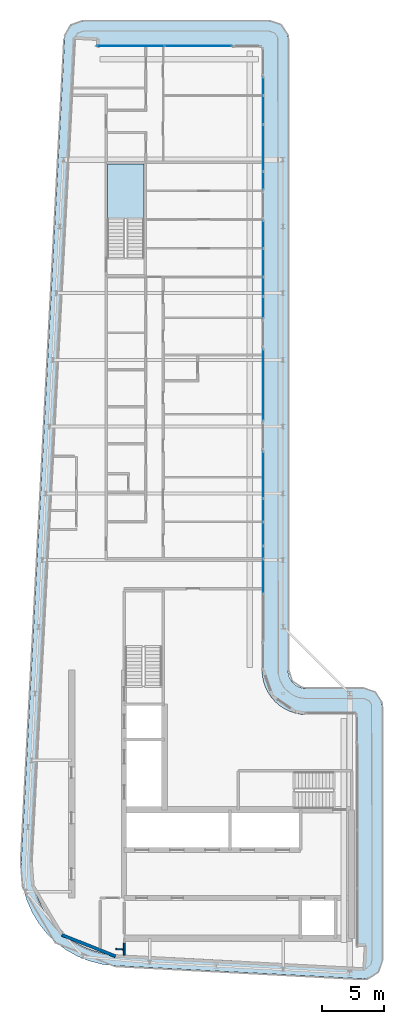
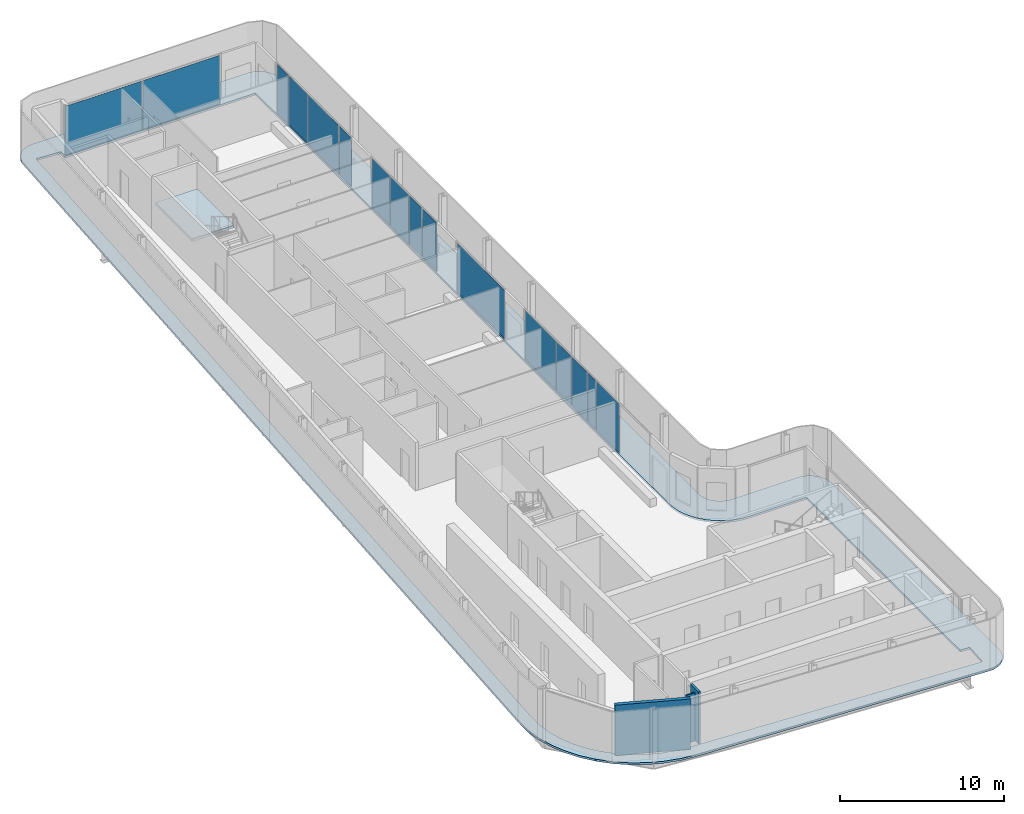
# One storey, part 8 of 18: 16 plates, 3 walls, 2 slabs, 9 elements without a shape of their own.
"""IFC4 building model written with IfcOpenShell, lengths in metres."""

from ifc_helpers import new_model, si_unit, direction, frame, frame_2d, origin, origin_2d, place, context, subcontext, project, spatial, polyline, rectangle, outline, extrude, material, layer, layer_set, type_object, element, aggregate, save


model = new_model("IFC4")

# Units and contexts
model_context = context("Model", 3, precision=1e-05, world=origin(), true_north=direction((0.0, 1.0)))
body_context = subcontext(model_context, "Body", "Model", "MODEL_VIEW")
ifc_project = project(units=[si_unit("LENGTHUNIT", "METRE"), si_unit("AREAUNIT", "SQUARE_METRE"), si_unit("VOLUMEUNIT", "CUBIC_METRE"), si_unit("PLANEANGLEUNIT", "RADIAN"), si_unit("MASSUNIT", "GRAM", prefix="KILO")], contexts=[model_context])

# Site, building, storey
site_placement = place(None, origin())
site = spatial("IfcSite", under=ifc_project, at=site_placement, CompositionType="ELEMENT")
building_placement = place(site_placement, origin())
building = spatial("IfcBuilding", under=site, at=building_placement, Name="Kheshtan School and Residences Tower", CompositionType="ELEMENT")
storey_placement = place(building_placement, frame((0.0, 0.0, 385.10009765625)))
storey = spatial("IfcBuildingStorey", under=building, at=storey_placement, Name="L91", CompositionType="ELEMENT", Elevation=385.10009765625)

# Curtain wall, plates
ifc_material_1 = material(Name="Clear low-e glass in thermally broken aluminium frame", Category="aluminium")
ifc_layer_1 = layer(ifc_material_1, 0.199951171875)
ifc_layer_set_1 = layer_set([ifc_layer_1], Name="Curtain wall CW-L")
curtain_wall_type = type_object("IfcCurtainWallType", Name="Curtain wall CW-L", PredefinedType="NOTDEFINED", material=ifc_layer_set_1)
curtain_wall_1_placement = place(storey_placement, origin())
curtain_wall_1 = element("IfcCurtainWall", 1, at=curtain_wall_1_placement, inside=storey, type_object=curtain_wall_type, Name="Curtain wall CWL7", PredefinedType="NOTDEFINED")
ifc_layer_2 = layer(ifc_material_1, 0.031982421875)
ifc_layer_set_2 = layer_set([ifc_layer_2], Name="CW-L glass panel")
plate_type = type_object("IfcPlateType", Name="CW-L glass panel", PredefinedType="CURTAIN_PANEL", material=ifc_layer_set_2)
plate_1_placement = place(storey_placement, frame((35.259033203125, 98.0, 0.0), z_axis=(0.0, 0.0, 1.0), x_axis=(1.0, 0.0, 0.0)))
plate_1 = element("IfcPlate", 2, at=plate_1_placement, type_object=plate_type, Name="CWL7 panel 1.1", PredefinedType="CURTAIN_PANEL", context=body_context, shape_type="SweptSolid", body=[
    extrude(rectangle(XDim=5.4140625, YDim=0.031982421875, at=origin_2d()), origin(), (0.0, 0.0, 1.0), 3.6298828125),
])
plate_2_placement = place(storey_placement, frame((40.73291015625, 98.0, 0.0), z_axis=(0.0, 0.0, 1.0), x_axis=(1.0, 0.0, 0.0)))
plate_2 = element("IfcPlate", 3, at=plate_2_placement, type_object=plate_type, Name="CWL7 panel 2.1", PredefinedType="CURTAIN_PANEL", context=body_context, shape_type="SweptSolid", body=[
    extrude(rectangle(XDim=5.4140625, YDim=0.031982421875, at=origin_2d()), origin(), (0.0, 0.0, 1.0), 3.6298828125),
])
aggregate(curtain_wall_1, [plate_1, plate_2])

curtain_wall_2_placement = place(storey_placement, origin())
curtain_wall_2 = element("IfcCurtainWall", 4, at=curtain_wall_2_placement, inside=storey, type_object=curtain_wall_type, Name="Curtain wall CWL8c", PredefinedType="NOTDEFINED")
plate_3_placement = place(storey_placement, frame((46.0, 94.735107421875, 0.0), z_axis=(0.0, 0.0, 1.0), x_axis=(0.0, -1.0, 0.0)))
plate_3 = element("IfcPlate", 5, at=plate_3_placement, type_object=plate_type, Name="CWL8c panel 1.1", PredefinedType="CURTAIN_PANEL", context=body_context, shape_type="SweptSolid", body=[
    extrude(rectangle(XDim=1.409912109375, YDim=0.031982421875, at=origin_2d()), origin(), (0.0, 0.0, 1.0), 3.6298828125),
])
plate_4_placement = place(storey_placement, frame((46.0, 92.826416015625, 0.0), z_axis=(0.0, 0.0, 1.0), x_axis=(0.0, -1.0, 0.0)))
plate_4 = element("IfcPlate", 6, at=plate_4_placement, type_object=plate_type, Name="CWL8c panel 2.1", PredefinedType="CURTAIN_PANEL", context=body_context, shape_type="SweptSolid", body=[
    extrude(rectangle(XDim=2.287109375, YDim=0.031982421875, at=origin_2d()), origin(), (0.0, 0.0, 1.0), 3.6298828125),
])
plate_5_placement = place(storey_placement, frame((46.0, 89.744384765625, 0.0), z_axis=(0.0, 0.0, 1.0), x_axis=(0.0, -1.0, 0.0)))
plate_5 = element("IfcPlate", 7, at=plate_5_placement, type_object=plate_type, Name="CWL8c panel 3.1", PredefinedType="CURTAIN_PANEL", context=body_context, shape_type="SweptSolid", body=[
    extrude(rectangle(XDim=3.757080078125, YDim=0.031982421875, at=origin_2d()), origin(), (0.0, 0.0, 1.0), 3.6298828125),
])
aggregate(curtain_wall_2, [plate_3, plate_4, plate_5])

# Curtain wall, plate
curtain_wall_3_placement = place(storey_placement, origin())
curtain_wall_3 = element("IfcCurtainWall", 8, at=curtain_wall_3_placement, inside=storey, type_object=curtain_wall_type, Name="Curtain wall CWL8a", PredefinedType="NOTDEFINED")
plate_6_placement = place(storey_placement, frame((46.0, 87.0859375, 0.0), z_axis=(0.0, 0.0, 1.0), x_axis=(0.0, -1.0, 0.0)))
plate_6 = element("IfcPlate", 9, at=plate_6_placement, type_object=plate_type, Name="CWL8a panel 1.1", PredefinedType="CURTAIN_PANEL", context=body_context, shape_type="SweptSolid", body=[
    extrude(rectangle(XDim=1.43994140625, YDim=0.031982421875, at=origin_2d()), origin(), (0.0, 0.0, 1.0), 3.6298828125),
])
aggregate(curtain_wall_3, [plate_6])

# Curtain wall, plates
curtain_wall_4_placement = place(storey_placement, origin())
curtain_wall_4 = element("IfcCurtainWall", 10, at=curtain_wall_4_placement, inside=storey, type_object=curtain_wall_type, Name="Curtain wall CWL8b", PredefinedType="NOTDEFINED")
plate_7_placement = place(storey_placement, frame((46.0, 82.75048828125, 0.0), z_axis=(0.0, 0.0, 1.0), x_axis=(0.0, -1.0, 0.0)))
plate_7 = element("IfcPlate", 11, at=plate_7_placement, type_object=plate_type, Name="CWL8b panel 1.1", PredefinedType="CURTAIN_PANEL", context=body_context, shape_type="SweptSolid", body=[
    extrude(rectangle(XDim=2.19091796875, YDim=0.031982421875, at=origin_2d()), origin(), (0.0, 0.0, 1.0), 3.6298828125),
])
plate_8_placement = place(storey_placement, frame((46.0, 80.46240234375, 0.0), z_axis=(0.0, 0.0, 1.0), x_axis=(0.0, -1.0, 0.0)))
plate_8 = element("IfcPlate", 12, at=plate_8_placement, type_object=plate_type, Name="CWL8b panel 2.1", PredefinedType="CURTAIN_PANEL", context=body_context, shape_type="SweptSolid", body=[
    extrude(rectangle(XDim=2.264892578125, YDim=0.031982421875, at=origin_2d()), origin(), (0.0, 0.0, 1.0), 3.6298828125),
])
plate_9_placement = place(storey_placement, frame((46.0, 78.52099609375, 0.0), z_axis=(0.0, 0.0, 1.0), x_axis=(0.0, -1.0, 0.0)))
plate_9 = element("IfcPlate", 13, at=plate_9_placement, type_object=plate_type, Name="CWL8b panel 3.1", PredefinedType="CURTAIN_PANEL", context=body_context, shape_type="SweptSolid", body=[
    extrude(rectangle(XDim=1.498046875, YDim=0.031982421875, at=origin_2d()), origin(), (0.0, 0.0, 1.0), 3.6298828125),
])
aggregate(curtain_wall_4, [plate_7, plate_8, plate_9])

# Curtain wall, plate
curtain_wall_5_placement = place(storey_placement, origin())
curtain_wall_5 = element("IfcCurtainWall", 14, at=curtain_wall_5_placement, inside=storey, type_object=curtain_wall_type, Name="Curtain wall CWL8e", PredefinedType="NOTDEFINED")
plate_10_placement = place(storey_placement, frame((46.0, 76.842041015625, 0.0), z_axis=(0.0, 0.0, 1.0), x_axis=(0.0, -1.0, 0.0)))
plate_10 = element("IfcPlate", 15, at=plate_10_placement, type_object=plate_type, Name="CWL8e panel 1.1", PredefinedType="CURTAIN_PANEL", context=body_context, shape_type="SweptSolid", body=[
    extrude(rectangle(XDim=1.739990234375, YDim=0.031982421875, at=origin_2d()), origin(), (0.0, 0.0, 1.0), 3.6298828125),
])
aggregate(curtain_wall_5, [plate_10])

curtain_wall_6_placement = place(storey_placement, origin())
curtain_wall_6 = element("IfcCurtainWall", 16, at=curtain_wall_6_placement, inside=storey, type_object=curtain_wall_type, Name="Curtain wall CWL8f", PredefinedType="NOTDEFINED")
plate_11_placement = place(storey_placement, frame((46.0, 70.56494140625, 0.0), z_axis=(0.0, 0.0, 1.0), x_axis=(0.0, -1.0, 0.0)))
plate_11 = element("IfcPlate", 17, at=plate_11_placement, type_object=plate_type, Name="CWL8f panel 1.1", PredefinedType="CURTAIN_PANEL", context=body_context, shape_type="SweptSolid", body=[
    extrude(rectangle(XDim=5.77392578125, YDim=0.031982421875, at=origin_2d()), origin(), (0.0, 0.0, 1.0), 3.6298828125),
])
aggregate(curtain_wall_6, [plate_11])

# Curtain wall, plates
curtain_wall_7_placement = place(storey_placement, origin())
curtain_wall_7 = element("IfcCurtainWall", 18, at=curtain_wall_7_placement, inside=storey, type_object=curtain_wall_type, Name="Curtain wall CWL8c", PredefinedType="NOTDEFINED")
plate_12_placement = place(storey_placement, frame((46.0, 63.279541015625, 0.0), z_axis=(0.0, 0.0, 1.0), x_axis=(0.0, -1.0, 0.0)))
plate_12 = element("IfcPlate", 19, at=plate_12_placement, type_object=plate_type, Name="CWL8c panel 1.1", PredefinedType="CURTAIN_PANEL", context=body_context, shape_type="SweptSolid", body=[
    extrude(rectangle(XDim=3.757080078125, YDim=0.031982421875, at=origin_2d()), origin(), (0.0, 0.0, 1.0), 3.6298828125),
])
plate_13_placement = place(storey_placement, frame((46.0, 60.435546875, 0.0), z_axis=(0.0, 0.0, 1.0), x_axis=(0.0, -1.0, 0.0)))
plate_13 = element("IfcPlate", 20, at=plate_13_placement, type_object=plate_type, Name="CWL8c panel 2.1", PredefinedType="CURTAIN_PANEL", context=body_context, shape_type="SweptSolid", body=[
    extrude(rectangle(XDim=1.81103515625, YDim=0.031982421875, at=origin_2d()), origin(), (0.0, 0.0, 1.0), 3.6298828125),
])
plate_14_placement = place(storey_placement, frame((46.0, 58.527099609375, 0.0), z_axis=(0.0, 0.0, 1.0), x_axis=(0.0, -1.0, 0.0)))
plate_14 = element("IfcPlate", 21, at=plate_14_placement, type_object=plate_type, Name="CWL8c panel 3.1", PredefinedType="CURTAIN_PANEL", context=body_context, shape_type="SweptSolid", body=[
    extrude(rectangle(XDim=1.885986328125, YDim=0.031982421875, at=origin_2d()), origin(), (0.0, 0.0, 1.0), 3.6298828125),
])
aggregate(curtain_wall_7, [plate_12, plate_13, plate_14])

curtain_wall_8_placement = place(storey_placement, origin())
curtain_wall_8 = element("IfcCurtainWall", 22, at=curtain_wall_8_placement, inside=storey, type_object=curtain_wall_type, Name="Curtain wall CWL8c", PredefinedType="NOTDEFINED")
plate_15_placement = place(storey_placement, frame((46.0, 57.027099609375, 0.0), z_axis=(0.0, 0.0, 1.0), x_axis=(0.0, -1.0, 0.0)))
plate_15 = element("IfcPlate", 23, at=plate_15_placement, type_object=plate_type, Name="CWL8c panel 1.1", PredefinedType="CURTAIN_PANEL", context=body_context, shape_type="SweptSolid", body=[
    extrude(rectangle(XDim=0.993896484375, YDim=0.031982421875, at=origin_2d()), origin(), (0.0, 0.0, 1.0), 3.6298828125),
])
plate_16_placement = place(storey_placement, frame((46.0, 55.08837890625, 0.0), z_axis=(0.0, 0.0, 1.0), x_axis=(0.0, -1.0, 0.0)))
plate_16 = element("IfcPlate", 24, at=plate_16_placement, type_object=plate_type, Name="CWL8c panel 2.1", PredefinedType="CURTAIN_PANEL", context=body_context, shape_type="SweptSolid", body=[
    extrude(rectangle(XDim=2.762939453125, YDim=0.031982421875, at=origin_2d()), origin(), (0.0, 0.0, 1.0), 3.6298828125),
])
aggregate(curtain_wall_8, [plate_15, plate_16])

# Slab
ifc_material_2 = material(Name="Concrete C40/50", Category="concrete")
ifc_layer_3 = layer(ifc_material_2, 0.14990234375)
ifc_layer_set_3 = layer_set([ifc_layer_3], Name="Loggia balcony slab 150 Concrete C40/50")
slab_type_1 = type_object("IfcSlabType", Name="Loggia balcony slab 150 Concrete C40/50", PredefinedType="FLOOR", material=ifc_layer_set_3)
slab_1_placement = place(storey_placement, frame((0.0, 0.0, -0.150146484375)))
element("IfcSlab", 25, at=slab_1_placement, inside=storey, type_object=slab_type_1, Name="Loggia balcony slab L91", PredefinedType="FLOOR", context=body_context, shape_type="SweptSolid", body=[
    extrude(outline(polyline([(28.4580078125, 26.222900390625), (28.45703125, 26.222900390625), (28.45703125, 26.22412109375), (28.4560546875, 26.22412109375), (27.81494140625, 27.0390625), (27.281005859375, 27.93798828125), (26.867919921875, 28.89990234375), (26.583984375, 29.89990234375), (26.583984375, 29.906982421875), (26.43408203125, 30.943115234375), (26.419921875, 31.989013671875), (29.925048828125, 98.5791015625), (29.930908203125, 98.626953125), (29.930908203125, 98.6279296875), (29.929931640625, 98.6279296875), (29.929931640625, 98.62890625), (29.928955078125, 98.62890625), (29.928955078125, 98.6298828125), (29.927978515625, 98.6298828125), (29.927978515625, 98.631103515625), (29.927001953125, 98.631103515625), (29.927001953125, 98.632080078125), (29.927001953125, 98.633056640625), (29.945068359375, 98.781005859375), (29.945068359375, 98.783935546875), (29.945068359375, 98.784912109375), (29.946044921875, 98.784912109375), (29.946044921875, 98.785888671875), (29.947021484375, 98.785888671875), (29.947021484375, 98.787109375), (29.947998046875, 98.787109375), (29.948974609375, 98.787109375), (29.948974609375, 98.7880859375), (29.949951171875, 98.7880859375), (29.949951171875, 98.7890625), (29.949951171875, 98.791015625), (30.0029296875, 98.98388671875), (30.083984375, 99.175048828125), (30.18896484375, 99.35302734375), (30.31103515625, 99.507080078125), (30.31201171875, 99.507080078125), (30.31201171875, 99.508056640625), (30.31298828125, 99.508056640625), (30.31298828125, 99.509033203125), (30.31396484375, 99.509033203125), (30.31396484375, 99.510009765625), (30.31494140625, 99.510009765625), (30.31494140625, 99.510986328125), (30.31591796875, 99.510986328125), (30.31591796875, 99.511962890625), (30.31689453125, 99.511962890625), (30.31689453125, 99.512939453125), (30.318115234375, 99.512939453125), (30.320068359375, 99.512939453125), (30.321044921875, 99.512939453125), (30.321044921875, 99.513916015625), (30.468017578125, 99.656982421875), (30.468994140625, 99.656982421875), (30.468994140625, 99.657958984375), (30.469970703125, 99.657958984375), (30.469970703125, 99.658935546875), (30.470947265625, 99.658935546875), (30.470947265625, 99.659912109375), (30.471923828125, 99.659912109375), (30.471923828125, 99.660888671875), (30.472900390625, 99.660888671875), (30.472900390625, 99.662109375), (30.47412109375, 99.662109375), (30.47412109375, 99.6630859375), (30.47509765625, 99.6630859375), (30.47509765625, 99.6640625), (30.635986328125, 99.777099609375), (30.820068359375, 99.873046875), (31.007080078125, 99.943115234375), (31.013916015625, 99.943115234375), (31.217041015625, 99.986083984375), (31.423095703125, 100.0), (46.5, 100.0), (46.696044921875, 99.987060546875), (46.887939453125, 99.948974609375), (46.89501953125, 99.948974609375), (47.073974609375, 99.885986328125), (47.242919921875, 99.801025390625), (47.243896484375, 99.801025390625), (47.2470703125, 99.801025390625), (47.248046875, 99.801025390625), (47.248046875, 99.802001953125), (47.2490234375, 99.802001953125), (47.2490234375, 99.802978515625), (47.25, 99.802978515625), (47.2529296875, 99.802978515625), (47.25390625, 99.802978515625), (47.25390625, 99.802001953125), (47.2548828125, 99.802001953125), (47.2548828125, 99.801025390625), (47.256103515625, 99.801025390625), (47.256103515625, 99.800048828125), (47.257080078125, 99.800048828125), (47.257080078125, 99.799072265625), (47.258056640625, 99.799072265625), (47.258056640625, 99.798095703125), (47.412109375, 99.696044921875), (47.4130859375, 99.696044921875), (47.4130859375, 99.695068359375), (47.4140625, 99.695068359375), (47.4140625, 99.694091796875), (47.4140625, 99.68994140625), (47.4140625, 99.68896484375), (47.4150390625, 99.68896484375), (47.4150390625, 99.68798828125), (47.416015625, 99.68798828125), (47.416015625, 99.68701171875), (47.4169921875, 99.68701171875), (47.4169921875, 99.68603515625), (47.554931640625, 99.568115234375), (47.554931640625, 99.56689453125), (47.555908203125, 99.56689453125), (47.555908203125, 99.56591796875), (47.556884765625, 99.56591796875), (47.556884765625, 99.56494140625), (47.55810546875, 99.56494140625), (47.55810546875, 99.56396484375), (47.55908203125, 99.56396484375), (47.55908203125, 99.56298828125), (47.56005859375, 99.56298828125), (47.56005859375, 99.56201171875), (47.56103515625, 99.56201171875), (47.56201171875, 99.56103515625), (47.56201171875, 99.56005859375), (47.56298828125, 99.56005859375), (47.56298828125, 99.55908203125), (47.56396484375, 99.55908203125), (47.56396484375, 99.55810546875), (47.56494140625, 99.55810546875), (47.56494140625, 99.556884765625), (47.56591796875, 99.556884765625), (47.56591796875, 99.555908203125), (47.56689453125, 99.555908203125), (47.56689453125, 99.554931640625), (47.568115234375, 99.554931640625), (47.68505859375, 99.41796875), (47.68603515625, 99.41796875), (47.68603515625, 99.4169921875), (47.68701171875, 99.4169921875), (47.68701171875, 99.416015625), (47.68798828125, 99.416015625), (47.68798828125, 99.4150390625), (47.68896484375, 99.4150390625), (47.68896484375, 99.4140625), (47.68994140625, 99.4140625), (47.694091796875, 99.4140625), (47.695068359375, 99.4140625), (47.695068359375, 99.4130859375), (47.696044921875, 99.4130859375), (47.696044921875, 99.412109375), (47.797119140625, 99.259033203125), (47.798095703125, 99.259033203125), (47.798095703125, 99.258056640625), (47.799072265625, 99.258056640625), (47.799072265625, 99.257080078125), (47.800048828125, 99.257080078125), (47.800048828125, 99.256103515625), (47.801025390625, 99.256103515625), (47.801025390625, 99.2548828125), (47.802001953125, 99.2548828125), (47.802001953125, 99.25390625), (47.802978515625, 99.25390625), (47.802978515625, 99.2529296875), (47.802978515625, 99.25), (47.802978515625, 99.2490234375), (47.802001953125, 99.2490234375), (47.802001953125, 99.248046875), (47.801025390625, 99.248046875), (47.801025390625, 99.2470703125), (47.801025390625, 99.243896484375), (47.801025390625, 99.242919921875), (47.885986328125, 99.073974609375), (47.948974609375, 98.89501953125), (47.948974609375, 98.887939453125), (47.987060546875, 98.696044921875), (48.0, 98.5), (48.0, 47.5), (48.012939453125, 47.303955078125), (48.051025390625, 47.113037109375), (48.051025390625, 47.10693359375), (48.051025390625, 47.10595703125), (48.114013671875, 46.926025390625), (48.200927734375, 46.75), (48.31005859375, 46.5869140625), (48.431884765625, 46.444091796875), (48.43310546875, 46.444091796875), (48.43310546875, 46.443115234375), (48.43408203125, 46.443115234375), (48.43408203125, 46.44189453125), (48.43505859375, 46.44189453125), (48.43505859375, 46.44091796875), (48.43603515625, 46.44091796875), (48.43603515625, 46.43994140625), (48.43701171875, 46.43994140625), (48.43701171875, 46.43896484375), (48.43798828125, 46.43896484375), (48.43896484375, 46.43798828125), (48.43896484375, 46.43701171875), (48.43994140625, 46.43701171875), (48.43994140625, 46.43603515625), (48.44091796875, 46.43603515625), (48.44091796875, 46.43505859375), (48.44189453125, 46.43505859375), (48.44189453125, 46.43408203125), (48.443115234375, 46.43408203125), (48.443115234375, 46.43310546875), (48.444091796875, 46.43310546875), (48.444091796875, 46.431884765625), (48.5869140625, 46.31005859375), (48.75, 46.200927734375), (48.926025390625, 46.114013671875), (49.10595703125, 46.051025390625), (49.10693359375, 46.051025390625), (49.113037109375, 46.051025390625), (49.303955078125, 46.012939453125), (49.5, 46.0), (54.10009765625, 46.0), (54.2958984375, 45.987060546875), (54.488037109375, 45.948974609375), (54.4951171875, 45.948974609375), (54.674072265625, 45.885986328125), (54.842041015625, 45.801025390625), (54.843017578125, 45.801025390625), (54.846923828125, 45.801025390625), (54.847900390625, 45.801025390625), (54.847900390625, 45.802001953125), (54.84912109375, 45.802001953125), (54.84912109375, 45.802978515625), (54.85009765625, 45.802978515625), (54.85302734375, 45.802978515625), (54.85400390625, 45.802978515625), (54.85400390625, 45.802001953125), (54.85498046875, 45.802001953125), (54.85498046875, 45.801025390625), (54.85595703125, 45.801025390625), (54.85595703125, 45.800048828125), (54.85693359375, 45.800048828125), (54.85693359375, 45.799072265625), (54.85791015625, 45.799072265625), (54.85791015625, 45.798095703125), (54.85888671875, 45.798095703125), (54.85888671875, 45.797119140625), (54.860107421875, 45.797119140625), (54.860107421875, 45.7958984375), (55.011962890625, 45.696044921875), (55.012939453125, 45.696044921875), (55.012939453125, 45.695068359375), (55.013916015625, 45.695068359375), (55.013916015625, 45.694091796875), (55.013916015625, 45.68994140625), (55.013916015625, 45.68896484375), (55.014892578125, 45.68896484375), (55.014892578125, 45.68798828125), (55.01611328125, 45.68798828125), (55.01611328125, 45.68701171875), (55.01708984375, 45.68701171875), (55.01708984375, 45.68603515625), (55.01806640625, 45.68603515625), (55.01806640625, 45.68505859375), (55.01904296875, 45.68505859375), (55.01904296875, 45.68408203125), (55.155029296875, 45.568115234375), (55.155029296875, 45.56689453125), (55.156005859375, 45.56689453125), (55.156005859375, 45.56591796875), (55.156982421875, 45.56591796875), (55.156982421875, 45.56494140625), (55.157958984375, 45.56494140625), (55.157958984375, 45.56396484375), (55.158935546875, 45.56396484375), (55.158935546875, 45.56298828125), (55.159912109375, 45.56298828125), (55.159912109375, 45.56201171875), (55.160888671875, 45.56201171875), (55.162109375, 45.56103515625), (55.162109375, 45.56005859375), (55.1630859375, 45.56005859375), (55.1630859375, 45.55908203125), (55.1640625, 45.55908203125), (55.1640625, 45.55810546875), (55.1650390625, 45.55810546875), (55.1650390625, 45.556884765625), (55.166015625, 45.556884765625), (55.166015625, 45.555908203125), (55.1669921875, 45.555908203125), (55.1669921875, 45.554931640625), (55.16796875, 45.554931640625), (55.281982421875, 45.4208984375), (55.282958984375, 45.4208984375), (55.282958984375, 45.419921875), (55.283935546875, 45.419921875), (55.283935546875, 45.4189453125), (55.284912109375, 45.4189453125), (55.284912109375, 45.41796875), (55.285888671875, 45.41796875), (55.285888671875, 45.4169921875), (55.287109375, 45.4169921875), (55.287109375, 45.416015625), (55.2880859375, 45.416015625), (55.2880859375, 45.4150390625), (55.2890625, 45.4150390625), (55.2890625, 45.4140625), (55.2900390625, 45.4140625), (55.2939453125, 45.4140625), (55.294921875, 45.4140625), (55.294921875, 45.4130859375), (55.2958984375, 45.4130859375), (55.2958984375, 45.412109375), (55.39404296875, 45.261962890625), (55.39501953125, 45.261962890625), (55.39501953125, 45.260986328125), (55.39599609375, 45.260986328125), (55.39599609375, 45.260009765625), (55.39697265625, 45.260009765625), (55.39697265625, 45.259033203125), (55.39794921875, 45.259033203125), (55.39794921875, 45.258056640625), (55.39892578125, 45.258056640625), (55.39892578125, 45.257080078125), (55.39990234375, 45.257080078125), (55.39990234375, 45.256103515625), (55.40087890625, 45.256103515625), (55.40087890625, 45.2548828125), (55.402099609375, 45.2548828125), (55.402099609375, 45.25390625), (55.403076171875, 45.25390625), (55.403076171875, 45.2529296875), (55.403076171875, 45.25), (55.403076171875, 45.2490234375), (55.402099609375, 45.2490234375), (55.402099609375, 45.248046875), (55.40087890625, 45.248046875), (55.40087890625, 45.2470703125), (55.40087890625, 45.240966796875), (55.40087890625, 45.239990234375), (55.486083984375, 45.073974609375), (55.549072265625, 44.89501953125), (55.549072265625, 44.887939453125), (55.5869140625, 44.696044921875), (55.60009765625, 44.5), (55.60009765625, 24.02294921875), (55.5859375, 23.821044921875), (55.544921875, 23.6220703125), (55.544921875, 23.614990234375), (55.47802734375, 23.430908203125), (55.385986328125, 23.25), (55.27099609375, 23.0849609375), (55.27099609375, 23.083984375), (55.27099609375, 23.0830078125), (55.27099609375, 23.08203125), (55.27197265625, 23.08203125), (55.27197265625, 23.0810546875), (55.27197265625, 23.0791015625), (55.27197265625, 23.077880859375), (55.27099609375, 23.077880859375), (55.27099609375, 23.076904296875), (55.137939453125, 22.93408203125), (55.135009765625, 22.930908203125), (55.134033203125, 22.930908203125), (55.134033203125, 22.929931640625), (55.133056640625, 22.929931640625), (55.131103515625, 22.929931640625), (55.1298828125, 22.929931640625), (55.1298828125, 22.930908203125), (55.12890625, 22.930908203125), (55.1279296875, 22.930908203125), (55.126953125, 22.930908203125), (54.97607421875, 22.805908203125), (54.803955078125, 22.698974609375), (54.618896484375, 22.615966796875), (54.430908203125, 22.55908203125), (54.424072265625, 22.55908203125), (54.22412109375, 22.528076171875), (54.02099609375, 22.52490234375), (33.989013671875, 23.580078125), (33.94189453125, 23.5859375), (33.94091796875, 23.5859375), (33.93994140625, 23.5859375), (33.93994140625, 23.5849609375), (33.93896484375, 23.5849609375), (33.93896484375, 23.583984375), (33.93798828125, 23.583984375), (33.93798828125, 23.5830078125), (33.93701171875, 23.5830078125), (33.93701171875, 23.58203125), (33.93603515625, 23.58203125), (33.93505859375, 23.58203125), (32.952880859375, 23.697998046875), (32.949951171875, 23.697998046875), (32.948974609375, 23.697998046875), (32.948974609375, 23.698974609375), (32.947998046875, 23.698974609375), (32.947998046875, 23.699951171875), (32.947021484375, 23.699951171875), (32.947021484375, 23.700927734375), (32.947021484375, 23.702880859375), (32.947021484375, 23.7041015625), (32.946044921875, 23.7041015625), (32.946044921875, 23.705078125), (32.945068359375, 23.705078125), (32.944091796875, 23.705078125), (31.93603515625, 23.9609375), (31.928955078125, 23.9609375), (30.964111328125, 24.34912109375), (30.051025390625, 24.860107421875), (29.218994140625, 25.47900390625), (29.218994140625, 25.47998046875), (29.218017578125, 25.47998046875), (29.218017578125, 25.48095703125), (29.217041015625, 25.48095703125), (29.217041015625, 25.48193359375), (29.216064453125, 25.48193359375), (29.216064453125, 25.48291015625), (29.215087890625, 25.48291015625), (29.215087890625, 25.48388671875), (29.214111328125, 25.48388671875), (29.214111328125, 25.485107421875), (29.212890625, 25.485107421875), (29.212890625, 25.486083984375), (29.2119140625, 25.486083984375), (28.466064453125, 26.217041015625), (28.466064453125, 26.218017578125), (28.465087890625, 26.218017578125), (28.462890625, 26.218017578125), (28.4619140625, 26.218017578125), (28.4619140625, 26.218994140625), (28.4609375, 26.218994140625), (28.4609375, 26.219970703125), (28.4599609375, 26.219970703125), (28.4599609375, 26.220947265625), (28.458984375, 26.220947265625), (28.458984375, 26.221923828125), (28.4580078125, 26.221923828125), (28.4580078125, 26.222900390625)]), holes=[polyline([(29.12890625, 26.824951171875), (29.12890625, 26.823974609375), (29.1298828125, 26.823974609375), (29.1298828125, 26.822998046875), (29.131103515625, 26.822998046875), (29.131103515625, 26.822021484375), (29.132080078125, 26.822021484375), (29.132080078125, 26.821044921875), (29.133056640625, 26.821044921875), (29.133056640625, 26.820068359375), (29.134033203125, 26.820068359375), (29.794921875, 26.173095703125), (29.794921875, 26.172119140625), (29.7958984375, 26.172119140625), (29.798095703125, 26.172119140625), (29.799072265625, 26.172119140625), (29.799072265625, 26.1708984375), (29.800048828125, 26.1708984375), (29.800048828125, 26.169921875), (29.801025390625, 26.169921875), (29.801025390625, 26.1689453125), (29.802001953125, 26.1689453125), (29.802001953125, 26.16796875), (29.802978515625, 26.16796875), (29.802978515625, 26.1669921875), (29.803955078125, 26.1669921875), (29.803955078125, 26.166015625), (30.541015625, 25.616943359375), (31.35205078125, 25.1630859375), (32.208984375, 24.819091796875), (32.2099609375, 24.819091796875), (32.216064453125, 24.819091796875), (33.114990234375, 24.590087890625), (34.06591796875, 24.47705078125), (54.0380859375, 23.425048828125), (54.06494140625, 23.426025390625), (54.06591796875, 23.426025390625), (54.06689453125, 23.426025390625), (54.06689453125, 23.427001953125), (54.068115234375, 23.427001953125), (54.068115234375, 23.427978515625), (54.068115234375, 23.428955078125), (54.157958984375, 25.117919921875), (54.157958984375, 25.118896484375), (54.157958984375, 25.1201171875), (54.156982421875, 25.1201171875), (54.156982421875, 25.12109375), (54.156005859375, 25.12109375), (54.155029296875, 25.12109375), (53.5009765625, 25.156005859375), (53.5, 25.156005859375), (53.5, 25.156982421875), (53.5, 43.89794921875), (53.5, 43.89892578125), (53.4990234375, 43.89892578125), (53.4990234375, 43.89990234375), (53.498046875, 43.89990234375), (49.429931640625, 43.89990234375), (49.030029296875, 43.927001953125), (48.569091796875, 44.01806640625), (48.56201171875, 44.01806640625), (48.1201171875, 44.169921875), (47.697021484375, 44.37890625), (47.30810546875, 44.638916015625), (46.95703125, 44.944091796875), (46.95703125, 44.945068359375), (46.9560546875, 44.945068359375), (46.9560546875, 44.946044921875), (46.955078125, 44.946044921875), (46.955078125, 44.947021484375), (46.9541015625, 44.947021484375), (46.9541015625, 44.947998046875), (46.952880859375, 44.947998046875), (46.952880859375, 44.948974609375), (46.951904296875, 44.948974609375), (46.951904296875, 44.949951171875), (46.951904296875, 44.950927734375), (46.950927734375, 44.950927734375), (46.950927734375, 44.951904296875), (46.949951171875, 44.951904296875), (46.948974609375, 44.951904296875), (46.948974609375, 44.952880859375), (46.947998046875, 44.952880859375), (46.947998046875, 44.9541015625), (46.947021484375, 44.9541015625), (46.947021484375, 44.955078125), (46.946044921875, 44.955078125), (46.946044921875, 44.9560546875), (46.945068359375, 44.9560546875), (46.945068359375, 44.95703125), (46.944091796875, 44.95703125), (46.638916015625, 45.30810546875), (46.37890625, 45.697021484375), (46.169921875, 46.1201171875), (46.01806640625, 46.56201171875), (46.01806640625, 46.569091796875), (45.927001953125, 47.030029296875), (45.89990234375, 47.429931640625), (45.89990234375, 97.89794921875), (45.89990234375, 97.89892578125), (45.89892578125, 97.89892578125), (45.89892578125, 97.89990234375), (45.89794921875, 97.89990234375), (32.492919921875, 97.89990234375), (32.491943359375, 97.89990234375), (32.52099609375, 98.43896484375), (32.52099609375, 98.43994140625), (32.52099609375, 98.44091796875), (32.52001953125, 98.44091796875), (32.52001953125, 98.44189453125), (32.51904296875, 98.44189453125), (32.51806640625, 98.44189453125), (30.8291015625, 98.531982421875), (30.827880859375, 98.531982421875), (30.826904296875, 98.531982421875), (30.826904296875, 98.531005859375), (30.825927734375, 98.531005859375), (30.825927734375, 98.530029296875), (30.825927734375, 98.529052734375), (30.822021484375, 98.5009765625), (27.320068359375, 31.970947265625), (27.3330078125, 31.013916015625), (27.466064453125, 30.093994140625), (27.466064453125, 30.087890625), (27.466064453125, 30.0869140625), (27.718017578125, 29.200927734375), (28.0849609375, 28.345947265625), (28.55908203125, 27.550048828125), (29.126953125, 26.825927734375), (29.1279296875, 26.825927734375), (29.1279296875, 26.824951171875), (29.12890625, 26.824951171875)])]), origin(), (0.0, 0.0, 1.0), 0.150146484375),
])

# Stair, slab
stair_type = type_object("IfcStairType", Name="Exit stair, half-turn", PredefinedType="HALF_TURN_STAIR", material=ifc_material_2)
stair_placement = place(storey_placement, origin())
stair = element("IfcStair", 26, at=stair_placement, inside=storey, type_object=stair_type, Name="L91 Protected Exit Stair ST3", PredefinedType="HALF_TURN_STAIR")
ifc_layer_4 = layer(ifc_material_2, 0.199951171875)
ifc_layer_set_4 = layer_set([ifc_layer_4], Name="Stair landing 200 Concrete C40/50")
slab_type_2 = type_object("IfcSlabType", Name="Stair landing 200 Concrete C40/50", PredefinedType="LANDING", material=ifc_layer_set_4)
slab_2_placement = place(storey_placement, frame((0.0, 0.0, 1.75)))
slab_2 = element("IfcSlab", 27, at=slab_2_placement, type_object=slab_type_2, Name="ST3 landing 1", PredefinedType="LANDING", context=body_context, shape_type="SweptSolid", body=[
    extrude(outline(polyline([(36.35009765625, 83.97998046875), (36.35009765625, 88.4599609375), (33.39990234375, 88.4599609375), (33.39990234375, 83.97998046875), (36.35009765625, 83.97998046875)])), origin(), (0.0, 0.0, 1.0), 0.199951171875),
])
aggregate(stair, [slab_2])

# Walls
ifc_material_3 = material(Name="Concrete C40/50 with ceramic cladding and mineral wool insulation", Category="concrete")
ifc_layer_5 = layer(ifc_material_3, 0.25)
ifc_layer_set_5 = layer_set([ifc_layer_5], Name="External wall 250 ceramic clad")
wall_type_1 = type_object("IfcWallType", Name="External wall 250 ceramic clad", PredefinedType="SOLIDWALL", material=ifc_layer_set_5)
wall_1_placement = place(storey_placement, frame((34.0390625, 24.35302734375, 0.0), z_axis=(0.0, 0.0, 1.0), x_axis=(-0.929352825399, 0.369192803184, 0.0)))
element("IfcWall", 28, at=wall_1_placement, inside=storey, type_object=wall_type_1, Name="External wall L91 1", PredefinedType="SOLIDWALL", context=body_context, shape_type="SweptSolid", body=[
    extrude(rectangle(XDim=4.656005859375, YDim=0.25, at=frame_2d((2.328125, 0.0))), origin(), (0.0, 0.0, 1.0), 3.75),
])
ifc_material_4 = material(Name="Gypsum board on steel studs", Category="steel")
ifc_layer_6 = layer(ifc_material_4, 0.10009765625)
ifc_layer_set_6 = layer_set([ifc_layer_6], Name="Gypsum partition 100")
wall_type_2 = type_object("IfcWallType", Name="Gypsum partition 100", PredefinedType="PARTITIONING", material=ifc_layer_set_6)
wall_2_placement = place(storey_placement, frame((34.06298828125, 24.928955078125, 0.0), z_axis=(0.0, 0.0, 1.0), x_axis=(0.99864189377, -0.052099597007, 0.0)))
element("IfcWall", 29, at=wall_2_placement, inside=storey, type_object=wall_type_2, Name="Partition L91-016", PredefinedType="PARTITIONING", context=body_context, shape_type="SweptSolid", body=[
    extrude(rectangle(XDim=0.61376953125, YDim=0.10009765625, at=frame_2d((0.306884765625, 0.0))), origin(), (0.0, 0.0, 1.0), 3.599853515625),
])
ifc_material_5 = material(Name="Fire-board shaft wall system")
ifc_layer_7 = layer(ifc_material_5, 0.14990234375)
ifc_layer_set_7 = layer_set([ifc_layer_7], Name="Service room wall 150")
wall_type_3 = type_object("IfcWallType", Name="Service room wall 150", PredefinedType="PARTITIONING", material=ifc_layer_set_7)
wall_3_placement = place(storey_placement, frame((34.75, 24.444091796875, 0.0), z_axis=(0.0, 0.0, 1.0), x_axis=(0.0, 1.0, 0.0)))
element("IfcWall", 30, at=wall_3_placement, inside=storey, type_object=wall_type_3, Name="Service room wall", PredefinedType="PARTITIONING", context=body_context, shape_type="SweptSolid", body=[
    extrude(rectangle(XDim=0.98583984375, YDim=0.14990234375, at=frame_2d((0.492919921875, 0.0))), origin(), (0.0, 0.0, 1.0), 3.89990234375),
])

save(model, "model.ifc")
